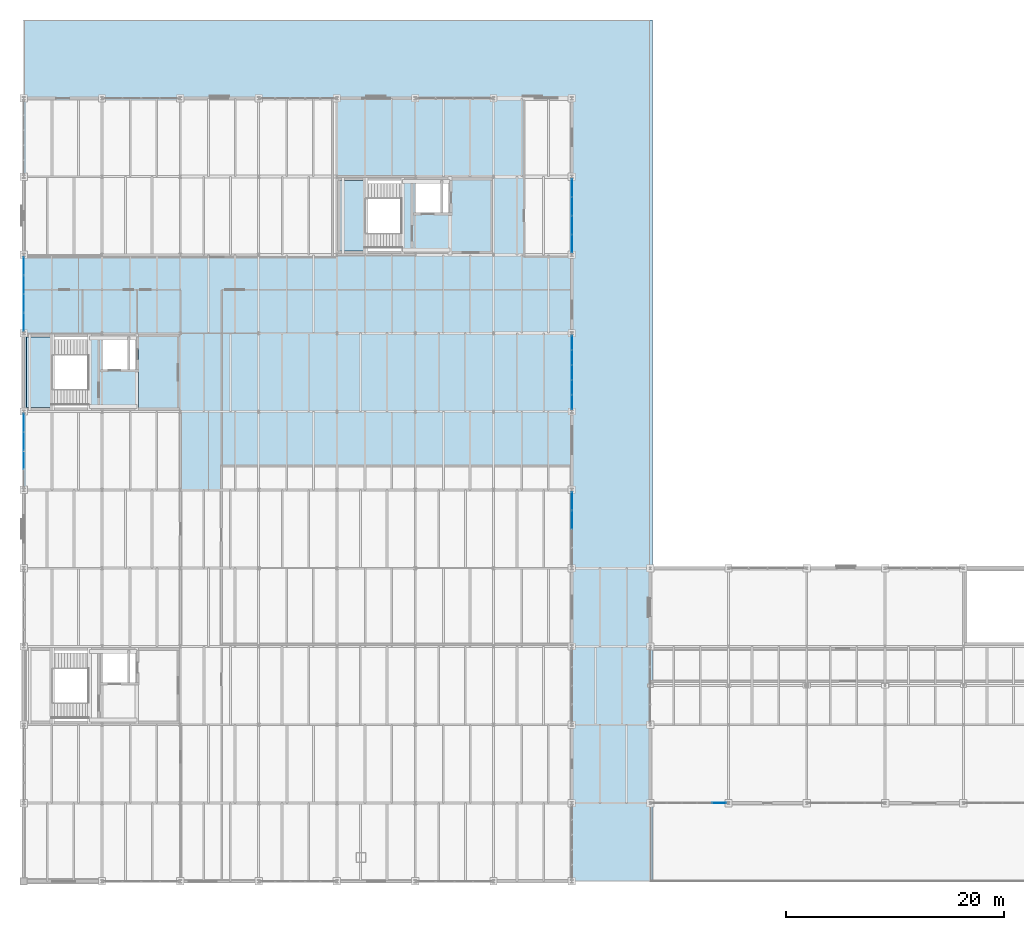
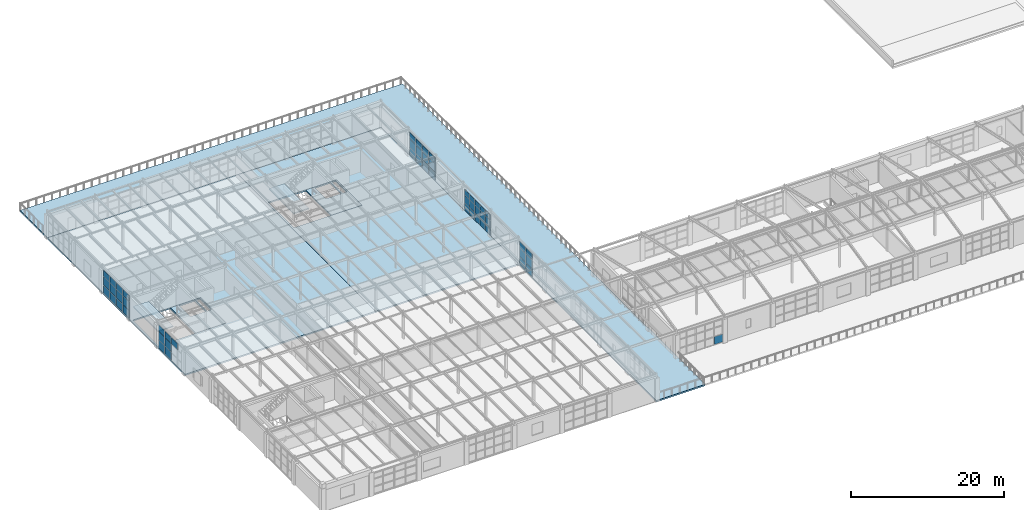
# One storey, part 83 of 101: 53 plates, 7 slabs, 8 elements without a shape of their own.
"""IFC4 building model written with IfcOpenShell, lengths in metres."""

from ifc_helpers import new_model, si_unit, direction, frame, origin, origin_2d, place, context, subcontext, project, spatial, polyline, rectangle, outline, extrude, material, layer, layer_set, type_object, element, aggregate, save


model = new_model("IFC4")

# Units and contexts
model_context = context("Model", 3, precision=1e-05, world=origin(), true_north=direction((0.0, 1.0)))
body_context = subcontext(model_context, "Body", "Model", "MODEL_VIEW")
ifc_project = project(units=[si_unit("LENGTHUNIT", "METRE"), si_unit("AREAUNIT", "SQUARE_METRE"), si_unit("VOLUMEUNIT", "CUBIC_METRE"), si_unit("PLANEANGLEUNIT", "RADIAN"), si_unit("MASSUNIT", "GRAM", prefix="KILO")], contexts=[model_context])

# Site, building, storey
site_placement = place(None, origin())
site = spatial("IfcSite", under=ifc_project, at=site_placement, CompositionType="ELEMENT")
building_placement = place(site_placement, origin())
building = spatial("IfcBuilding", under=site, at=building_placement, Name="Kemerveld Promenade Tramway Depot", CompositionType="ELEMENT")
storey_placement = place(building_placement, frame((0.0, 0.0, 9.89990234375)))
storey = spatial("IfcBuildingStorey", under=building, at=storey_placement, Name="L02", CompositionType="ELEMENT", Elevation=9.89990234375)

# Curtain wall, plates
ifc_material_1 = material(Name="Bronze anodised aluminium and solar glass", Category="aluminium")
ifc_layer_1 = layer(ifc_material_1, 0.159912109375)
ifc_layer_set_1 = layer_set([ifc_layer_1], Name="CW-SYS-09")
curtain_wall_type_1 = type_object("IfcCurtainWallType", Name="CW-SYS-09", PredefinedType="USERDEFINED", material=ifc_layer_set_1)
curtain_wall_1_placement = place(storey_placement, origin())
curtain_wall_1 = element("IfcCurtainWall", 1, at=curtain_wall_1_placement, inside=storey, type_object=curtain_wall_type_1, Name="CW-L02-V5W-06", ObjectType="GLAZED_CURTAIN_WALL", PredefinedType="USERDEFINED")
ifc_material_2 = material(Name="Solar-control laminated double glazing", Category="glass")
ifc_layer_2 = layer(ifc_material_2, 0.028076171875)
ifc_layer_set_2 = layer_set([ifc_layer_2], Name="CW-PNL-01")
plate_type_1 = type_object("IfcPlateType", Name="CW-PNL-01", PredefinedType="CURTAIN_PANEL", material=ifc_layer_set_2)
plate_1_placement = place(storey_placement, frame((0.0, 38.739501953125, 2.76611328125), z_axis=(0.0, 0.0, 1.0), x_axis=(0.0, 1.0, 0.0)))
plate_1 = element("IfcPlate", 2, at=plate_1_placement, type_object=plate_type_1, Name="CW09 panel 2.3", PredefinedType="CURTAIN_PANEL", context=body_context, shape_type="SweptSolid", body=[
    extrude(rectangle(XDim=1.656005859375, YDim=0.028076171875, at=origin_2d()), origin(), (0.0, 0.0, 1.0), 0.97412109375),
])
plate_2_placement = place(storey_placement, frame((0.0, 40.46044921875, 0.06005859375), z_axis=(0.0, 0.0, 1.0), x_axis=(0.0, 1.0, 0.0)))
plate_2 = element("IfcPlate", 3, at=plate_2_placement, type_object=plate_type_1, Name="CW09 panel 3.1", PredefinedType="CURTAIN_PANEL", context=body_context, shape_type="SweptSolid", body=[
    extrude(rectangle(XDim=1.656005859375, YDim=0.028076171875, at=origin_2d()), origin(), (0.0, 0.0, 1.0), 1.239990234375),
])
plate_3_placement = place(storey_placement, frame((0.0, 40.46044921875, 1.3603515625), z_axis=(0.0, 0.0, 1.0), x_axis=(0.0, 1.0, 0.0)))
plate_3 = element("IfcPlate", 4, at=plate_3_placement, type_object=plate_type_1, Name="CW09 panel 3.2", PredefinedType="CURTAIN_PANEL", context=body_context, shape_type="SweptSolid", body=[
    extrude(rectangle(XDim=1.656005859375, YDim=0.028076171875, at=origin_2d()), origin(), (0.0, 0.0, 1.0), 1.345947265625),
])
plate_4_placement = place(storey_placement, frame((0.0, 40.46044921875, 2.76611328125), z_axis=(0.0, 0.0, 1.0), x_axis=(0.0, 1.0, 0.0)))
plate_4 = element("IfcPlate", 5, at=plate_4_placement, type_object=plate_type_1, Name="CW09 panel 3.3", PredefinedType="CURTAIN_PANEL", context=body_context, shape_type="SweptSolid", body=[
    extrude(rectangle(XDim=1.656005859375, YDim=0.028076171875, at=origin_2d()), origin(), (0.0, 0.0, 1.0), 0.97412109375),
])
plate_5_placement = place(storey_placement, frame((0.0, 42.165283203125, 0.06005859375), z_axis=(0.0, 0.0, 1.0), x_axis=(0.0, 1.0, 0.0)))
plate_5 = element("IfcPlate", 6, at=plate_5_placement, type_object=plate_type_1, Name="CW09 panel 4.1", PredefinedType="CURTAIN_PANEL", context=body_context, shape_type="SweptSolid", body=[
    extrude(rectangle(XDim=1.62353515625, YDim=0.028076171875, at=origin_2d()), origin(), (0.0, 0.0, 1.0), 1.239990234375),
])
plate_6_placement = place(storey_placement, frame((0.0, 42.165283203125, 1.3603515625), z_axis=(0.0, 0.0, 1.0), x_axis=(0.0, 1.0, 0.0)))
plate_6 = element("IfcPlate", 7, at=plate_6_placement, type_object=plate_type_1, Name="CW09 panel 4.2", PredefinedType="CURTAIN_PANEL", context=body_context, shape_type="SweptSolid", body=[
    extrude(rectangle(XDim=1.62353515625, YDim=0.028076171875, at=origin_2d()), origin(), (0.0, 0.0, 1.0), 1.345947265625),
])
plate_7_placement = place(storey_placement, frame((0.0, 42.165283203125, 2.76611328125), z_axis=(0.0, 0.0, 1.0), x_axis=(0.0, 1.0, 0.0)))
plate_7 = element("IfcPlate", 8, at=plate_7_placement, type_object=plate_type_1, Name="CW09 panel 4.3", PredefinedType="CURTAIN_PANEL", context=body_context, shape_type="SweptSolid", body=[
    extrude(rectangle(XDim=1.62353515625, YDim=0.028076171875, at=origin_2d()), origin(), (0.0, 0.0, 1.0), 0.97412109375),
])
aggregate(curtain_wall_1, [plate_1, plate_2, plate_3, plate_4, plate_5, plate_6, plate_7])

curtain_wall_2_placement = place(storey_placement, origin())
curtain_wall_2 = element("IfcCurtainWall", 9, at=curtain_wall_2_placement, inside=storey, type_object=curtain_wall_type_1, Name="CW-L02-V5E-06", ObjectType="GLAZED_CURTAIN_WALL", PredefinedType="USERDEFINED")
plate_8_placement = place(storey_placement, frame((50.39990234375, 34.965087890625, 0.06005859375), z_axis=(0.0, 0.0, 1.0), x_axis=(0.0, -1.0, 0.0)))
plate_8 = element("IfcPlate", 10, at=plate_8_placement, type_object=plate_type_1, Name="CW09 panel 1.1", PredefinedType="CURTAIN_PANEL", context=body_context, shape_type="SweptSolid", body=[
    extrude(rectangle(XDim=1.62353515625, YDim=0.028076171875, at=origin_2d()), origin(), (0.0, 0.0, 1.0), 1.239990234375),
])
plate_9_placement = place(storey_placement, frame((50.39990234375, 34.965087890625, 1.3603515625), z_axis=(0.0, 0.0, 1.0), x_axis=(0.0, -1.0, 0.0)))
plate_9 = element("IfcPlate", 11, at=plate_9_placement, type_object=plate_type_1, Name="CW09 panel 1.2", PredefinedType="CURTAIN_PANEL", context=body_context, shape_type="SweptSolid", body=[
    extrude(rectangle(XDim=1.62353515625, YDim=0.028076171875, at=origin_2d()), origin(), (0.0, 0.0, 1.0), 1.345947265625),
])
plate_10_placement = place(storey_placement, frame((50.39990234375, 34.965087890625, 2.76611328125), z_axis=(0.0, 0.0, 1.0), x_axis=(0.0, -1.0, 0.0)))
plate_10 = element("IfcPlate", 12, at=plate_10_placement, type_object=plate_type_1, Name="CW09 panel 1.3", PredefinedType="CURTAIN_PANEL", context=body_context, shape_type="SweptSolid", body=[
    extrude(rectangle(XDim=1.62353515625, YDim=0.028076171875, at=origin_2d()), origin(), (0.0, 0.0, 1.0), 0.97412109375),
])
plate_11_placement = place(storey_placement, frame((50.39990234375, 33.260498046875, 0.06005859375), z_axis=(0.0, 0.0, 1.0), x_axis=(0.0, -1.0, 0.0)))
plate_11 = element("IfcPlate", 13, at=plate_11_placement, type_object=plate_type_1, Name="CW09 panel 2.1", PredefinedType="CURTAIN_PANEL", context=body_context, shape_type="SweptSolid", body=[
    extrude(rectangle(XDim=1.656005859375, YDim=0.028076171875, at=origin_2d()), origin(), (0.0, 0.0, 1.0), 1.239990234375),
])
plate_12_placement = place(storey_placement, frame((50.39990234375, 33.260498046875, 1.3603515625), z_axis=(0.0, 0.0, 1.0), x_axis=(0.0, -1.0, 0.0)))
plate_12 = element("IfcPlate", 14, at=plate_12_placement, type_object=plate_type_1, Name="CW09 panel 2.2", PredefinedType="CURTAIN_PANEL", context=body_context, shape_type="SweptSolid", body=[
    extrude(rectangle(XDim=1.656005859375, YDim=0.028076171875, at=origin_2d()), origin(), (0.0, 0.0, 1.0), 1.345947265625),
])
plate_13_placement = place(storey_placement, frame((50.39990234375, 33.260498046875, 2.76611328125), z_axis=(0.0, 0.0, 1.0), x_axis=(0.0, -1.0, 0.0)))
plate_13 = element("IfcPlate", 15, at=plate_13_placement, type_object=plate_type_1, Name="CW09 panel 2.3", PredefinedType="CURTAIN_PANEL", context=body_context, shape_type="SweptSolid", body=[
    extrude(rectangle(XDim=1.656005859375, YDim=0.028076171875, at=origin_2d()), origin(), (0.0, 0.0, 1.0), 0.97412109375),
])
aggregate(curtain_wall_2, [plate_8, plate_9, plate_10, plate_11, plate_12, plate_13])

ifc_layer_3 = layer(ifc_material_1, 0.159912109375)
ifc_layer_set_3 = layer_set([ifc_layer_3], Name="CW-SYS-11")
curtain_wall_type_2 = type_object("IfcCurtainWallType", Name="CW-SYS-11", PredefinedType="USERDEFINED", material=ifc_layer_set_3)
curtain_wall_3_placement = place(storey_placement, origin())
curtain_wall_3 = element("IfcCurtainWall", 16, at=curtain_wall_3_placement, inside=storey, type_object=curtain_wall_type_2, Name="CW-L02-V5W-08", ObjectType="GLAZED_CURTAIN_WALL", PredefinedType="USERDEFINED")
ifc_layer_4 = layer(ifc_material_2, 0.028076171875)
ifc_layer_set_4 = layer_set([ifc_layer_4], Name="CW-PNL-03")
plate_type_2 = type_object("IfcPlateType", Name="CW-PNL-03", PredefinedType="CURTAIN_PANEL", material=ifc_layer_set_4)
plate_14_placement = place(storey_placement, frame((0.0, 51.434814453125, 0.06005859375), z_axis=(0.0, 0.0, 1.0), x_axis=(0.0, 1.0, 0.0)))
plate_14 = element("IfcPlate", 17, at=plate_14_placement, type_object=plate_type_2, Name="CW11 panel 1.1", PredefinedType="CURTAIN_PANEL", context=body_context, shape_type="SweptSolid", body=[
    extrude(rectangle(XDim=1.62353515625, YDim=0.028076171875, at=origin_2d()), origin(), (0.0, 0.0, 1.0), 1.239990234375),
])
plate_15_placement = place(storey_placement, frame((0.0, 51.434814453125, 1.3603515625), z_axis=(0.0, 0.0, 1.0), x_axis=(0.0, 1.0, 0.0)))
plate_15 = element("IfcPlate", 18, at=plate_15_placement, type_object=plate_type_2, Name="CW11 panel 1.2", PredefinedType="CURTAIN_PANEL", context=body_context, shape_type="SweptSolid", body=[
    extrude(rectangle(XDim=1.62353515625, YDim=0.028076171875, at=origin_2d()), origin(), (0.0, 0.0, 1.0), 1.345947265625),
])
plate_16_placement = place(storey_placement, frame((0.0, 51.434814453125, 2.76611328125), z_axis=(0.0, 0.0, 1.0), x_axis=(0.0, 1.0, 0.0)))
plate_16 = element("IfcPlate", 19, at=plate_16_placement, type_object=plate_type_2, Name="CW11 panel 1.3", PredefinedType="CURTAIN_PANEL", context=body_context, shape_type="SweptSolid", body=[
    extrude(rectangle(XDim=1.62353515625, YDim=0.028076171875, at=origin_2d()), origin(), (0.0, 0.0, 1.0), 0.97412109375),
])
plate_17_placement = place(storey_placement, frame((0.0, 53.139404296875, 0.06005859375), z_axis=(0.0, 0.0, 1.0), x_axis=(0.0, 1.0, 0.0)))
plate_17 = element("IfcPlate", 20, at=plate_17_placement, type_object=plate_type_2, Name="CW11 panel 2.1", PredefinedType="CURTAIN_PANEL", context=body_context, shape_type="SweptSolid", body=[
    extrude(rectangle(XDim=1.656005859375, YDim=0.028076171875, at=origin_2d()), origin(), (0.0, 0.0, 1.0), 1.239990234375),
])
plate_18_placement = place(storey_placement, frame((0.0, 53.139404296875, 1.3603515625), z_axis=(0.0, 0.0, 1.0), x_axis=(0.0, 1.0, 0.0)))
plate_18 = element("IfcPlate", 21, at=plate_18_placement, type_object=plate_type_2, Name="CW11 panel 2.2", PredefinedType="CURTAIN_PANEL", context=body_context, shape_type="SweptSolid", body=[
    extrude(rectangle(XDim=1.656005859375, YDim=0.028076171875, at=origin_2d()), origin(), (0.0, 0.0, 1.0), 1.345947265625),
])
plate_19_placement = place(storey_placement, frame((0.0, 53.139404296875, 2.76611328125), z_axis=(0.0, 0.0, 1.0), x_axis=(0.0, 1.0, 0.0)))
plate_19 = element("IfcPlate", 22, at=plate_19_placement, type_object=plate_type_2, Name="CW11 panel 2.3", PredefinedType="CURTAIN_PANEL", context=body_context, shape_type="SweptSolid", body=[
    extrude(rectangle(XDim=1.656005859375, YDim=0.028076171875, at=origin_2d()), origin(), (0.0, 0.0, 1.0), 0.97412109375),
])
plate_20_placement = place(storey_placement, frame((0.0, 54.860595703125, 0.06005859375), z_axis=(0.0, 0.0, 1.0), x_axis=(0.0, 1.0, 0.0)))
plate_20 = element("IfcPlate", 23, at=plate_20_placement, type_object=plate_type_2, Name="CW11 panel 3.1", PredefinedType="CURTAIN_PANEL", context=body_context, shape_type="SweptSolid", body=[
    extrude(rectangle(XDim=1.656005859375, YDim=0.028076171875, at=origin_2d()), origin(), (0.0, 0.0, 1.0), 1.239990234375),
])
plate_21_placement = place(storey_placement, frame((0.0, 54.860595703125, 1.3603515625), z_axis=(0.0, 0.0, 1.0), x_axis=(0.0, 1.0, 0.0)))
plate_21 = element("IfcPlate", 24, at=plate_21_placement, type_object=plate_type_2, Name="CW11 panel 3.2", PredefinedType="CURTAIN_PANEL", context=body_context, shape_type="SweptSolid", body=[
    extrude(rectangle(XDim=1.656005859375, YDim=0.028076171875, at=origin_2d()), origin(), (0.0, 0.0, 1.0), 1.345947265625),
])
plate_22_placement = place(storey_placement, frame((0.0, 54.860595703125, 2.76611328125), z_axis=(0.0, 0.0, 1.0), x_axis=(0.0, 1.0, 0.0)))
plate_22 = element("IfcPlate", 25, at=plate_22_placement, type_object=plate_type_2, Name="CW11 panel 3.3", PredefinedType="CURTAIN_PANEL", context=body_context, shape_type="SweptSolid", body=[
    extrude(rectangle(XDim=1.656005859375, YDim=0.028076171875, at=origin_2d()), origin(), (0.0, 0.0, 1.0), 0.97412109375),
])
plate_23_placement = place(storey_placement, frame((0.0, 56.565185546875, 0.06005859375), z_axis=(0.0, 0.0, 1.0), x_axis=(0.0, 1.0, 0.0)))
plate_23 = element("IfcPlate", 26, at=plate_23_placement, type_object=plate_type_2, Name="CW11 panel 4.1", PredefinedType="CURTAIN_PANEL", context=body_context, shape_type="SweptSolid", body=[
    extrude(rectangle(XDim=1.62353515625, YDim=0.028076171875, at=origin_2d()), origin(), (0.0, 0.0, 1.0), 1.239990234375),
])
plate_24_placement = place(storey_placement, frame((0.0, 56.565185546875, 1.3603515625), z_axis=(0.0, 0.0, 1.0), x_axis=(0.0, 1.0, 0.0)))
plate_24 = element("IfcPlate", 27, at=plate_24_placement, type_object=plate_type_2, Name="CW11 panel 4.2", PredefinedType="CURTAIN_PANEL", context=body_context, shape_type="SweptSolid", body=[
    extrude(rectangle(XDim=1.62353515625, YDim=0.028076171875, at=origin_2d()), origin(), (0.0, 0.0, 1.0), 1.345947265625),
])
plate_25_placement = place(storey_placement, frame((0.0, 56.565185546875, 2.76611328125), z_axis=(0.0, 0.0, 1.0), x_axis=(0.0, 1.0, 0.0)))
plate_25 = element("IfcPlate", 28, at=plate_25_placement, type_object=plate_type_2, Name="CW11 panel 4.3", PredefinedType="CURTAIN_PANEL", context=body_context, shape_type="SweptSolid", body=[
    extrude(rectangle(XDim=1.62353515625, YDim=0.028076171875, at=origin_2d()), origin(), (0.0, 0.0, 1.0), 0.97412109375),
])
aggregate(curtain_wall_3, [plate_14, plate_15, plate_16, plate_17, plate_18, plate_19, plate_20, plate_21, plate_22, plate_23, plate_24, plate_25])

ifc_layer_5 = layer(ifc_material_1, 0.159912109375)
ifc_layer_set_5 = layer_set([ifc_layer_5], Name="CW-SYS-05")
curtain_wall_type_3 = type_object("IfcCurtainWallType", Name="CW-SYS-05", PredefinedType="USERDEFINED", material=ifc_layer_set_5)
curtain_wall_4_placement = place(storey_placement, origin())
curtain_wall_4 = element("IfcCurtainWall", 29, at=curtain_wall_4_placement, inside=storey, type_object=curtain_wall_type_3, Name="CW-L02-V5E-02", ObjectType="GLAZED_CURTAIN_WALL", PredefinedType="USERDEFINED")
ifc_layer_6 = layer(ifc_material_2, 0.031982421875)
ifc_layer_set_6 = layer_set([ifc_layer_6], Name="CW-PNL-05")
plate_type_3 = type_object("IfcPlateType", Name="CW-PNL-05", PredefinedType="CURTAIN_PANEL", material=ifc_layer_set_6)
plate_26_placement = place(storey_placement, frame((50.39990234375, 63.76513671875, 0.06005859375), z_axis=(0.0, 0.0, 1.0), x_axis=(0.0, -1.0, 0.0)))
plate_26 = element("IfcPlate", 30, at=plate_26_placement, type_object=plate_type_3, Name="CW05 panel 1.1", PredefinedType="CURTAIN_PANEL", context=body_context, shape_type="SweptSolid", body=[
    extrude(rectangle(XDim=1.623291015625, YDim=0.031982421875, at=origin_2d()), origin(), (0.0, 0.0, 1.0), 1.239990234375),
])
plate_27_placement = place(storey_placement, frame((50.39990234375, 63.76513671875, 1.3603515625), z_axis=(0.0, 0.0, 1.0), x_axis=(0.0, -1.0, 0.0)))
plate_27 = element("IfcPlate", 31, at=plate_27_placement, type_object=plate_type_3, Name="CW05 panel 1.2", PredefinedType="CURTAIN_PANEL", context=body_context, shape_type="SweptSolid", body=[
    extrude(rectangle(XDim=1.623291015625, YDim=0.031982421875, at=origin_2d()), origin(), (0.0, 0.0, 1.0), 1.345947265625),
])
plate_28_placement = place(storey_placement, frame((50.39990234375, 63.76513671875, 2.76611328125), z_axis=(0.0, 0.0, 1.0), x_axis=(0.0, -1.0, 0.0)))
plate_28 = element("IfcPlate", 32, at=plate_28_placement, type_object=plate_type_3, Name="CW05 panel 1.3", PredefinedType="CURTAIN_PANEL", context=body_context, shape_type="SweptSolid", body=[
    extrude(rectangle(XDim=1.623291015625, YDim=0.031982421875, at=origin_2d()), origin(), (0.0, 0.0, 1.0), 0.97412109375),
])
plate_29_placement = place(storey_placement, frame((50.39990234375, 62.060546875, 0.06005859375), z_axis=(0.0, 0.0, 1.0), x_axis=(0.0, -1.0, 0.0)))
plate_29 = element("IfcPlate", 33, at=plate_29_placement, type_object=plate_type_3, Name="CW05 panel 2.1", PredefinedType="CURTAIN_PANEL", context=body_context, shape_type="SweptSolid", body=[
    extrude(rectangle(XDim=1.656005859375, YDim=0.031982421875, at=origin_2d()), origin(), (0.0, 0.0, 1.0), 1.239990234375),
])
plate_30_placement = place(storey_placement, frame((50.39990234375, 62.060546875, 1.3603515625), z_axis=(0.0, 0.0, 1.0), x_axis=(0.0, -1.0, 0.0)))
plate_30 = element("IfcPlate", 34, at=plate_30_placement, type_object=plate_type_3, Name="CW05 panel 2.2", PredefinedType="CURTAIN_PANEL", context=body_context, shape_type="SweptSolid", body=[
    extrude(rectangle(XDim=1.656005859375, YDim=0.031982421875, at=origin_2d()), origin(), (0.0, 0.0, 1.0), 1.345947265625),
])
plate_31_placement = place(storey_placement, frame((50.39990234375, 62.060546875, 2.76611328125), z_axis=(0.0, 0.0, 1.0), x_axis=(0.0, -1.0, 0.0)))
plate_31 = element("IfcPlate", 35, at=plate_31_placement, type_object=plate_type_3, Name="CW05 panel 2.3", PredefinedType="CURTAIN_PANEL", context=body_context, shape_type="SweptSolid", body=[
    extrude(rectangle(XDim=1.656005859375, YDim=0.031982421875, at=origin_2d()), origin(), (0.0, 0.0, 1.0), 0.97412109375),
])
plate_32_placement = place(storey_placement, frame((50.39990234375, 60.339599609375, 0.06005859375), z_axis=(0.0, 0.0, 1.0), x_axis=(0.0, -1.0, 0.0)))
plate_32 = element("IfcPlate", 36, at=plate_32_placement, type_object=plate_type_3, Name="CW05 panel 3.1", PredefinedType="CURTAIN_PANEL", context=body_context, shape_type="SweptSolid", body=[
    extrude(rectangle(XDim=1.656005859375, YDim=0.031982421875, at=origin_2d()), origin(), (0.0, 0.0, 1.0), 1.239990234375),
])
plate_33_placement = place(storey_placement, frame((50.39990234375, 60.339599609375, 1.3603515625), z_axis=(0.0, 0.0, 1.0), x_axis=(0.0, -1.0, 0.0)))
plate_33 = element("IfcPlate", 37, at=plate_33_placement, type_object=plate_type_3, Name="CW05 panel 3.2", PredefinedType="CURTAIN_PANEL", context=body_context, shape_type="SweptSolid", body=[
    extrude(rectangle(XDim=1.656005859375, YDim=0.031982421875, at=origin_2d()), origin(), (0.0, 0.0, 1.0), 1.345947265625),
])
plate_34_placement = place(storey_placement, frame((50.39990234375, 60.339599609375, 2.76611328125), z_axis=(0.0, 0.0, 1.0), x_axis=(0.0, -1.0, 0.0)))
plate_34 = element("IfcPlate", 38, at=plate_34_placement, type_object=plate_type_3, Name="CW05 panel 3.3", PredefinedType="CURTAIN_PANEL", context=body_context, shape_type="SweptSolid", body=[
    extrude(rectangle(XDim=1.656005859375, YDim=0.031982421875, at=origin_2d()), origin(), (0.0, 0.0, 1.0), 0.97412109375),
])
plate_35_placement = place(storey_placement, frame((50.39990234375, 58.635009765625, 0.06005859375), z_axis=(0.0, 0.0, 1.0), x_axis=(0.0, -1.0, 0.0)))
plate_35 = element("IfcPlate", 39, at=plate_35_placement, type_object=plate_type_3, Name="CW05 panel 4.1", PredefinedType="CURTAIN_PANEL", context=body_context, shape_type="SweptSolid", body=[
    extrude(rectangle(XDim=1.623291015625, YDim=0.031982421875, at=origin_2d()), origin(), (0.0, 0.0, 1.0), 1.239990234375),
])
plate_36_placement = place(storey_placement, frame((50.39990234375, 58.635009765625, 1.3603515625), z_axis=(0.0, 0.0, 1.0), x_axis=(0.0, -1.0, 0.0)))
plate_36 = element("IfcPlate", 40, at=plate_36_placement, type_object=plate_type_3, Name="CW05 panel 4.2", PredefinedType="CURTAIN_PANEL", context=body_context, shape_type="SweptSolid", body=[
    extrude(rectangle(XDim=1.623291015625, YDim=0.031982421875, at=origin_2d()), origin(), (0.0, 0.0, 1.0), 1.345947265625),
])
plate_37_placement = place(storey_placement, frame((50.39990234375, 58.635009765625, 2.76611328125), z_axis=(0.0, 0.0, 1.0), x_axis=(0.0, -1.0, 0.0)))
plate_37 = element("IfcPlate", 41, at=plate_37_placement, type_object=plate_type_3, Name="CW05 panel 4.3", PredefinedType="CURTAIN_PANEL", context=body_context, shape_type="SweptSolid", body=[
    extrude(rectangle(XDim=1.623291015625, YDim=0.031982421875, at=origin_2d()), origin(), (0.0, 0.0, 1.0), 0.97412109375),
])
aggregate(curtain_wall_4, [plate_26, plate_27, plate_28, plate_29, plate_30, plate_31, plate_32, plate_33, plate_34, plate_35, plate_36, plate_37])

# Curtain wall, plate
ifc_layer_7 = layer(ifc_material_1, 0.159912109375)
ifc_layer_set_7 = layer_set([ifc_layer_7], Name="CW-SYS-13")
curtain_wall_type_4 = type_object("IfcCurtainWallType", Name="CW-SYS-13", PredefinedType="USERDEFINED", material=ifc_layer_set_7)
curtain_wall_5_placement = place(storey_placement, origin())
curtain_wall_5 = element("IfcCurtainWall", 42, at=curtain_wall_5_placement, inside=storey, type_object=curtain_wall_type_4, Name="CW-L02-V4S-10", ObjectType="GLAZED_CURTAIN_WALL", PredefinedType="USERDEFINED")
plate_38_placement = place(storey_placement, frame((63.9638671875, 7.199951171875, 0.06005859375), z_axis=(0.0, 0.0, 1.0), x_axis=(-1.0, 0.0, 0.0)))
plate_38 = element("IfcPlate", 43, at=plate_38_placement, type_object=plate_type_3, Name="CW13 panel 1.1", PredefinedType="CURTAIN_PANEL", context=body_context, shape_type="SweptSolid", body=[
    extrude(rectangle(XDim=1.29248046875, YDim=0.031982421875, at=origin_2d()), origin(), (0.0, 0.0, 1.0), 1.239990234375),
])
aggregate(curtain_wall_5, [plate_38])

# Curtain wall, plates
ifc_layer_8 = layer(ifc_material_1, 0.159912109375)
ifc_layer_set_8 = layer_set([ifc_layer_8], Name="CW-SYS-07")
curtain_wall_type_5 = type_object("IfcCurtainWallType", Name="CW-SYS-07", PredefinedType="USERDEFINED", material=ifc_layer_set_8)
curtain_wall_6_placement = place(storey_placement, origin())
curtain_wall_6 = element("IfcCurtainWall", 44, at=curtain_wall_6_placement, inside=storey, type_object=curtain_wall_type_5, Name="CW-L02-V5E-04", ObjectType="GLAZED_CURTAIN_WALL", PredefinedType="USERDEFINED")
ifc_layer_9 = layer(ifc_material_2, 0.030029296875)
ifc_layer_set_9 = layer_set([ifc_layer_9], Name="CW-PNL-07")
plate_type_4 = type_object("IfcPlateType", Name="CW-PNL-07", PredefinedType="CURTAIN_PANEL", material=ifc_layer_set_9)
plate_39_placement = place(storey_placement, frame((50.39990234375, 49.537109375, 0.06005859375), z_axis=(0.0, 0.0, 1.0), x_axis=(0.0, -1.0, 0.0)))
plate_39 = element("IfcPlate", 45, at=plate_39_placement, type_object=plate_type_4, Name="CW07 panel 1.1", PredefinedType="CURTAIN_PANEL", context=body_context, shape_type="SweptSolid", body=[
    extrude(rectangle(XDim=1.279296875, YDim=0.030029296875, at=origin_2d()), origin(), (0.0, 0.0, 1.0), 1.10498046875),
])
plate_40_placement = place(storey_placement, frame((50.39990234375, 49.537109375, 1.22509765625), z_axis=(0.0, 0.0, 1.0), x_axis=(0.0, -1.0, 0.0)))
plate_40 = element("IfcPlate", 46, at=plate_40_placement, type_object=plate_type_4, Name="CW07 panel 1.2", PredefinedType="CURTAIN_PANEL", context=body_context, shape_type="SweptSolid", body=[
    extrude(rectangle(XDim=1.279296875, YDim=0.030029296875, at=origin_2d()), origin(), (0.0, 0.0, 1.0), 1.202880859375),
])
plate_41_placement = place(storey_placement, frame((50.39990234375, 49.537109375, 2.488037109375), z_axis=(0.0, 0.0, 1.0), x_axis=(0.0, -1.0, 0.0)))
plate_41 = element("IfcPlate", 47, at=plate_41_placement, type_object=plate_type_4, Name="CW07 panel 1.3", PredefinedType="CURTAIN_PANEL", context=body_context, shape_type="SweptSolid", body=[
    extrude(rectangle(XDim=1.279296875, YDim=0.030029296875, at=origin_2d()), origin(), (0.0, 0.0, 1.0), 0.8662109375),
])
plate_42_placement = place(storey_placement, frame((50.39990234375, 48.1767578125, 0.06005859375), z_axis=(0.0, 0.0, 1.0), x_axis=(0.0, -1.0, 0.0)))
plate_42 = element("IfcPlate", 48, at=plate_42_placement, type_object=plate_type_4, Name="CW07 panel 2.1", PredefinedType="CURTAIN_PANEL", context=body_context, shape_type="SweptSolid", body=[
    extrude(rectangle(XDim=1.311767578125, YDim=0.030029296875, at=origin_2d()), origin(), (0.0, 0.0, 1.0), 1.10498046875),
])
plate_43_placement = place(storey_placement, frame((50.39990234375, 48.1767578125, 1.22509765625), z_axis=(0.0, 0.0, 1.0), x_axis=(0.0, -1.0, 0.0)))
plate_43 = element("IfcPlate", 49, at=plate_43_placement, type_object=plate_type_4, Name="CW07 panel 2.2", PredefinedType="CURTAIN_PANEL", context=body_context, shape_type="SweptSolid", body=[
    extrude(rectangle(XDim=1.311767578125, YDim=0.030029296875, at=origin_2d()), origin(), (0.0, 0.0, 1.0), 1.202880859375),
])
plate_44_placement = place(storey_placement, frame((50.39990234375, 48.1767578125, 2.488037109375), z_axis=(0.0, 0.0, 1.0), x_axis=(0.0, -1.0, 0.0)))
plate_44 = element("IfcPlate", 50, at=plate_44_placement, type_object=plate_type_4, Name="CW07 panel 2.3", PredefinedType="CURTAIN_PANEL", context=body_context, shape_type="SweptSolid", body=[
    extrude(rectangle(XDim=1.311767578125, YDim=0.030029296875, at=origin_2d()), origin(), (0.0, 0.0, 1.0), 0.8662109375),
])
plate_45_placement = place(storey_placement, frame((50.39990234375, 46.800048828125, 0.06005859375), z_axis=(0.0, 0.0, 1.0), x_axis=(0.0, -1.0, 0.0)))
plate_45 = element("IfcPlate", 51, at=plate_45_placement, type_object=plate_type_4, Name="CW07 panel 3.1", PredefinedType="CURTAIN_PANEL", context=body_context, shape_type="SweptSolid", body=[
    extrude(rectangle(XDim=1.311767578125, YDim=0.030029296875, at=origin_2d()), origin(), (0.0, 0.0, 1.0), 1.10498046875),
])
plate_46_placement = place(storey_placement, frame((50.39990234375, 46.800048828125, 1.22509765625), z_axis=(0.0, 0.0, 1.0), x_axis=(0.0, -1.0, 0.0)))
plate_46 = element("IfcPlate", 52, at=plate_46_placement, type_object=plate_type_4, Name="CW07 panel 3.2", PredefinedType="CURTAIN_PANEL", context=body_context, shape_type="SweptSolid", body=[
    extrude(rectangle(XDim=1.311767578125, YDim=0.030029296875, at=origin_2d()), origin(), (0.0, 0.0, 1.0), 1.202880859375),
])
plate_47_placement = place(storey_placement, frame((50.39990234375, 46.800048828125, 2.488037109375), z_axis=(0.0, 0.0, 1.0), x_axis=(0.0, -1.0, 0.0)))
plate_47 = element("IfcPlate", 53, at=plate_47_placement, type_object=plate_type_4, Name="CW07 panel 3.3", PredefinedType="CURTAIN_PANEL", context=body_context, shape_type="SweptSolid", body=[
    extrude(rectangle(XDim=1.311767578125, YDim=0.030029296875, at=origin_2d()), origin(), (0.0, 0.0, 1.0), 0.8662109375),
])
plate_48_placement = place(storey_placement, frame((50.39990234375, 45.42333984375, 0.06005859375), z_axis=(0.0, 0.0, 1.0), x_axis=(0.0, -1.0, 0.0)))
plate_48 = element("IfcPlate", 54, at=plate_48_placement, type_object=plate_type_4, Name="CW07 panel 4.1", PredefinedType="CURTAIN_PANEL", context=body_context, shape_type="SweptSolid", body=[
    extrude(rectangle(XDim=1.311767578125, YDim=0.030029296875, at=origin_2d()), origin(), (0.0, 0.0, 1.0), 1.10498046875),
])
plate_49_placement = place(storey_placement, frame((50.39990234375, 45.42333984375, 1.22509765625), z_axis=(0.0, 0.0, 1.0), x_axis=(0.0, -1.0, 0.0)))
plate_49 = element("IfcPlate", 55, at=plate_49_placement, type_object=plate_type_4, Name="CW07 panel 4.2", PredefinedType="CURTAIN_PANEL", context=body_context, shape_type="SweptSolid", body=[
    extrude(rectangle(XDim=1.311767578125, YDim=0.030029296875, at=origin_2d()), origin(), (0.0, 0.0, 1.0), 1.202880859375),
])
plate_50_placement = place(storey_placement, frame((50.39990234375, 45.42333984375, 2.488037109375), z_axis=(0.0, 0.0, 1.0), x_axis=(0.0, -1.0, 0.0)))
plate_50 = element("IfcPlate", 56, at=plate_50_placement, type_object=plate_type_4, Name="CW07 panel 4.3", PredefinedType="CURTAIN_PANEL", context=body_context, shape_type="SweptSolid", body=[
    extrude(rectangle(XDim=1.311767578125, YDim=0.030029296875, at=origin_2d()), origin(), (0.0, 0.0, 1.0), 0.8662109375),
])
plate_51_placement = place(storey_placement, frame((50.39990234375, 44.062744140625, 0.06005859375), z_axis=(0.0, 0.0, 1.0), x_axis=(0.0, -1.0, 0.0)))
plate_51 = element("IfcPlate", 57, at=plate_51_placement, type_object=plate_type_4, Name="CW07 panel 5.1", PredefinedType="CURTAIN_PANEL", context=body_context, shape_type="SweptSolid", body=[
    extrude(rectangle(XDim=1.279296875, YDim=0.030029296875, at=origin_2d()), origin(), (0.0, 0.0, 1.0), 1.10498046875),
])
plate_52_placement = place(storey_placement, frame((50.39990234375, 44.062744140625, 1.22509765625), z_axis=(0.0, 0.0, 1.0), x_axis=(0.0, -1.0, 0.0)))
plate_52 = element("IfcPlate", 58, at=plate_52_placement, type_object=plate_type_4, Name="CW07 panel 5.2", PredefinedType="CURTAIN_PANEL", context=body_context, shape_type="SweptSolid", body=[
    extrude(rectangle(XDim=1.279296875, YDim=0.030029296875, at=origin_2d()), origin(), (0.0, 0.0, 1.0), 1.202880859375),
])
plate_53_placement = place(storey_placement, frame((50.39990234375, 44.062744140625, 2.488037109375), z_axis=(0.0, 0.0, 1.0), x_axis=(0.0, -1.0, 0.0)))
plate_53 = element("IfcPlate", 59, at=plate_53_placement, type_object=plate_type_4, Name="CW07 panel 5.3", PredefinedType="CURTAIN_PANEL", context=body_context, shape_type="SweptSolid", body=[
    extrude(rectangle(XDim=1.279296875, YDim=0.030029296875, at=origin_2d()), origin(), (0.0, 0.0, 1.0), 0.8662109375),
])
aggregate(curtain_wall_6, [plate_39, plate_40, plate_41, plate_42, plate_43, plate_44, plate_45, plate_46, plate_47, plate_48, plate_49, plate_50, plate_51, plate_52, plate_53])

# Slabs
ifc_material_3 = material(Name="Concrete C40/50", Category="concrete")
ifc_layer_10 = layer(ifc_material_3, 0.219970703125)
ifc_layer_set_10 = layer_set([ifc_layer_10], Name="SL-CORE-220")
slab_type_1 = type_object("IfcSlabType", Name="SL-CORE-220", PredefinedType="FLOOR", material=ifc_layer_set_10)
slab_1_placement = place(storey_placement, frame((0.0, 0.0, -0.219970703125)))
element("IfcSlab", 60, at=slab_1_placement, inside=storey, type_object=slab_type_1, Name="SLB-CORE-C2-L02", PredefinedType="FLOOR", context=body_context, shape_type="SweptSolid", body=[
    extrude(outline(polyline([(5.919921875, 43.449951171875), (10.550048828125, 43.449951171875), (10.550048828125, 50.14990234375), (5.919921875, 50.14990234375), (5.919921875, 43.449951171875)]), holes=[polyline([(7.199951171875, 47.080078125), (9.550048828125, 47.080078125), (9.550048828125, 50.080078125), (7.199951171875, 50.080078125), (7.199951171875, 47.080078125)]), polyline([(9.75, 47.080078125), (10.3798828125, 47.080078125), (10.3798828125, 50.080078125), (9.75, 50.080078125), (9.75, 47.080078125)])]), origin(), (0.0, 0.0, 1.0), 0.219970703125),
])
slab_2_placement = place(storey_placement, frame((0.0, 0.0, -0.219970703125)))
element("IfcSlab", 61, at=slab_2_placement, inside=storey, type_object=slab_type_1, Name="SLB-CORE-C3-L02", PredefinedType="FLOOR", context=body_context, shape_type="SweptSolid", body=[
    extrude(outline(polyline([(34.719970703125, 57.85009765625), (39.35009765625, 57.85009765625), (39.35009765625, 64.550048828125), (34.719970703125, 64.550048828125), (34.719970703125, 57.85009765625)]), holes=[polyline([(36.0, 61.47998046875), (38.35009765625, 61.47998046875), (38.35009765625, 64.47998046875), (36.0, 64.47998046875), (36.0, 61.47998046875)]), polyline([(38.550048828125, 61.47998046875), (39.179931640625, 61.47998046875), (39.179931640625, 64.47998046875), (38.550048828125, 64.47998046875), (38.550048828125, 61.47998046875)])]), origin(), (0.0, 0.0, 1.0), 0.219970703125),
])
ifc_material_4 = material(Name="Concrete C35/45", Category="concrete")
ifc_layer_11 = layer(ifc_material_4, 0.22509765625)
ifc_layer_set_11 = layer_set([ifc_layer_11], Name="SL-FL03")
slab_type_2 = type_object("IfcSlabType", Name="SL-FL03", PredefinedType="FLOOR", material=ifc_layer_set_11)
slab_3_placement = place(storey_placement, frame((0.0, 0.0, -0.224853515625)))
element("IfcSlab", 62, at=slab_3_placement, inside=storey, type_object=slab_type_2, Name="SLB-L02-V5C", PredefinedType="FLOOR", context=body_context, shape_type="SweptSolid", body=[
    extrude(outline(polyline([(0.0, 36.0), (28.800048828125, 36.0), (28.800048828125, 72.0), (0.0, 72.0), (0.0, 36.0)]), holes=[polyline([(0.25, 43.449951171875), (10.550048828125, 43.449951171875), (10.550048828125, 50.14990234375), (0.25, 50.14990234375), (0.25, 43.449951171875)])]), origin(), (0.0, 0.0, 1.0), 0.224853515625),
])
slab_4_placement = place(storey_placement, frame((0.0, 0.0, -0.224853515625)))
element("IfcSlab", 63, at=slab_4_placement, inside=storey, type_object=slab_type_2, Name="SLB-L02-V5D", PredefinedType="FLOOR", context=body_context, shape_type="SweptSolid", body=[
    extrude(outline(polyline([(28.800048828125, 36.0), (50.39990234375, 36.0), (50.39990234375, 72.0), (28.800048828125, 72.0), (28.800048828125, 36.0)]), holes=[polyline([(29.050048828125, 57.85009765625), (39.35009765625, 57.85009765625), (39.35009765625, 64.550048828125), (29.050048828125, 64.550048828125), (29.050048828125, 57.85009765625)])]), origin(), (0.0, 0.0, 1.0), 0.224853515625),
])

# Stair, slab
stair_type_1 = type_object("IfcStairType", Name="STR-HT-TYP", PredefinedType="HALF_TURN_STAIR", material=ifc_material_3)
stair_1_placement = place(storey_placement, origin())
stair_1 = element("IfcStair", 64, at=stair_1_placement, inside=storey, type_object=stair_type_1, Name="ST-02-L02", PredefinedType="HALF_TURN_STAIR")
ifc_layer_12 = layer(ifc_material_3, 0.179931640625)
ifc_layer_set_12 = layer_set([ifc_layer_12], Name="SL-LND-180")
slab_type_3 = type_object("IfcSlabType", Name="SL-LND-180", PredefinedType="LANDING", material=ifc_layer_set_12)
slab_5_placement = place(storey_placement, frame((0.0, 0.0, 2.070068359375)))
slab_5 = element("IfcSlab", 65, at=slab_5_placement, type_object=slab_type_3, Name="ST-02-L02 landing 1", PredefinedType="LANDING", context=body_context, shape_type="SweptSolid", body=[
    extrude(outline(polyline([(0.280029296875, 43.56005859375), (2.580078125, 43.56005859375), (2.580078125, 50.0400390625), (0.280029296875, 50.0400390625), (0.280029296875, 43.56005859375)])), origin(), (0.0, 0.0, 1.0), 0.179931640625),
])
aggregate(stair_1, [slab_5])

stair_type_2 = type_object("IfcStairType", Name="STR-HT-NARROW", PredefinedType="HALF_TURN_STAIR", material=ifc_material_3)
stair_2_placement = place(storey_placement, origin())
stair_2 = element("IfcStair", 66, at=stair_2_placement, inside=storey, type_object=stair_type_2, Name="ST-03-L02", PredefinedType="HALF_TURN_STAIR")
slab_6_placement = place(storey_placement, frame((0.0, 0.0, 2.070068359375)))
slab_6 = element("IfcSlab", 67, at=slab_6_placement, type_object=slab_type_3, Name="ST-03-L02 landing 1", PredefinedType="LANDING", context=body_context, shape_type="SweptSolid", body=[
    extrude(outline(polyline([(29.080078125, 57.9599609375), (31.3798828125, 57.9599609375), (31.3798828125, 64.43994140625), (29.080078125, 64.43994140625), (29.080078125, 57.9599609375)])), origin(), (0.0, 0.0, 1.0), 0.179931640625),
])
aggregate(stair_2, [slab_6])

# Slab
ifc_layer_13 = layer(ifc_material_4, 0.239990234375)
ifc_layer_set_13 = layer_set([ifc_layer_13], Name="SL-TR01")
slab_type_4 = type_object("IfcSlabType", Name="SL-TR01", PredefinedType="FLOOR", material=ifc_layer_set_13)
slab_7_placement = place(storey_placement, frame((0.0, 0.0, -0.239990234375)))
element("IfcSlab", 68, at=slab_7_placement, inside=storey, type_object=slab_type_4, Name="SLB-TER-L02-COURT", PredefinedType="FLOOR", context=body_context, shape_type="SweptSolid", body=[
    extrude(outline(polyline([(50.39990234375, 0.0), (57.800048828125, 0.0), (57.800048828125, 79.199951171875), (0.0, 79.199951171875), (0.0, 72.0), (50.39990234375, 72.0), (50.39990234375, 0.0)])), origin(), (0.0, 0.0, 1.0), 0.239990234375),
])

save(model, "model.ifc")
